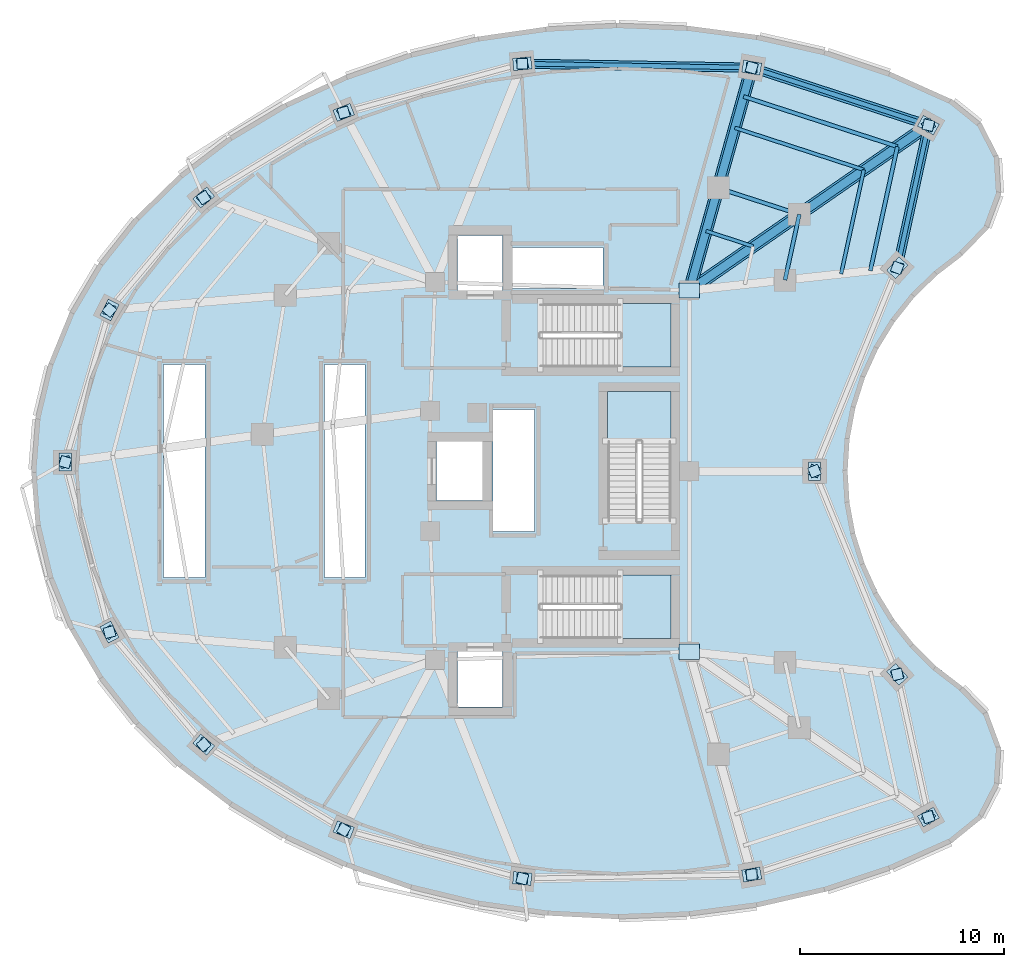
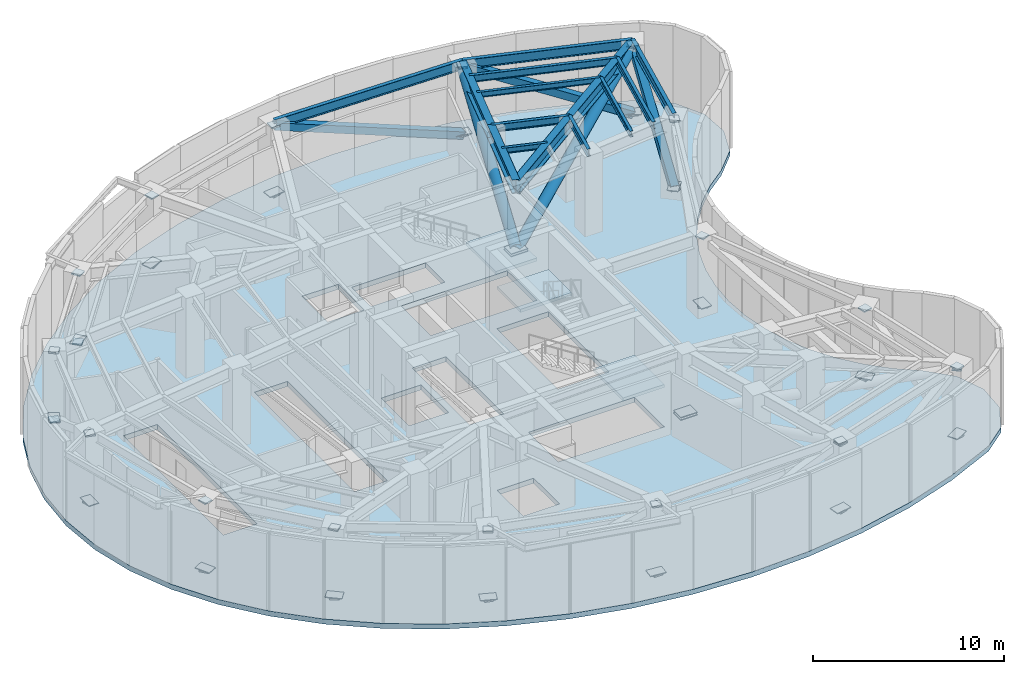
# One storey, part 3 of 10: 56 plates, 14 beams, 5 members, 4 slabs, 3 elements without a shape of their own.
"""IFC4 building model written with IfcOpenShell, lengths in metres."""

from ifc_helpers import new_model, si_unit, direction, frame, origin, origin_2d, place, context, subcontext, project, spatial, polyline, rectangle, hollow_rectangle, hollow_circle, i_section, outline, extrude, material, layer, layer_set, material_profile, profile_set, type_object, element, aggregate, save


model = new_model("IFC4")

# Units and contexts
model_context = context("Model", 3, precision=1e-05, world=origin(), true_north=direction((0.0, 1.0)))
body_context = subcontext(model_context, "Body", "Model", "MODEL_VIEW")
ifc_project = project(units=[si_unit("LENGTHUNIT", "METRE"), si_unit("AREAUNIT", "SQUARE_METRE"), si_unit("VOLUMEUNIT", "CUBIC_METRE"), si_unit("PLANEANGLEUNIT", "RADIAN"), si_unit("MASSUNIT", "GRAM", prefix="KILO")], contexts=[model_context])

# Site, building, storey
site_placement = place(None, origin())
site = spatial("IfcSite", under=ifc_project, at=site_placement, CompositionType="ELEMENT")
building_placement = place(site_placement, origin())
building = spatial("IfcBuilding", under=site, at=building_placement, Name="Korentha Bioscience Tower", CompositionType="ELEMENT")
storey_placement = place(building_placement, frame((0.0, 0.0, 84.60009765625)))
storey = spatial("IfcBuildingStorey", under=building, at=storey_placement, Name="L19", CompositionType="ELEMENT", Elevation=84.60009765625)

# Members
ifc_material_1 = material(Name="Steel S355", Category="steel")
ifc_material_profile_1 = material_profile(ifc_material_1, hollow_rectangle(XDim=0.449951171875, YDim=0.449951171875, WallThickness=0.02490234375, at=origin_2d()), Name="Steel S355")
ifc_profile_set_1 = profile_set([ifc_material_profile_1], Name="Steel S355 (BT-D450)")
member_type_1 = type_object("IfcMemberType", Name="Belt-Truss Web Diagonal SHS 450x450x25", PredefinedType="BRACE", material=ifc_profile_set_1)
member_1_placement = place(storey_placement, frame((49.2587890625, 43.947021484375, 0.349853515625), z_axis=(-0.856076773076, 0.278733902644, 0.435247021951), x_axis=(-0.309597327755, -0.950867758759, 0.0)))
element("IfcMember", 1, at=member_1_placement, inside=storey, type_object=member_type_1, Name="L19 Perimeter Belt-Truss Diagonal 01", PredefinedType="BRACE", context=body_context, shape_type="SweptSolid", body=[
    extrude(hollow_rectangle(XDim=0.449951171875, YDim=0.449951171875, WallThickness=0.02490234375, at=origin_2d()), origin(), (0.0, 0.0, 1.0), 10.109619140625),
])
member_2_placement = place(storey_placement, frame((40.604248046875, 46.764892578125, 0.349853515625), z_axis=(-0.931068988346, 0.01609789341, 0.364487855448), x_axis=(-0.017287105523, -0.999850566826, 0.0)))
element("IfcMember", 2, at=member_2_placement, inside=storey, type_object=member_type_1, Name="L19 Perimeter Belt-Truss Diagonal 02", PredefinedType="BRACE", context=body_context, shape_type="SweptSolid", body=[
    extrude(hollow_rectangle(XDim=0.449951171875, YDim=0.449951171875, WallThickness=0.02490234375, at=origin_2d()), origin(), (0.0, 0.0, 1.0), 12.072021484375),
])
member_3_placement = place(storey_placement, frame((47.736083984375, 36.959716796875, 0.349853515625), z_axis=(0.181348517584, 0.832162028739, 0.524041098671), x_axis=(-0.977068088275, 0.212927102256, 0.0)))
element("IfcMember", 3, at=member_3_placement, inside=storey, type_object=member_type_1, Name="L19 Perimeter Belt-Truss Diagonal 16", PredefinedType="BRACE", context=body_context, shape_type="SweptSolid", body=[
    extrude(hollow_rectangle(XDim=0.449951171875, YDim=0.449951171875, WallThickness=0.02490234375, at=origin_2d()), origin(), (0.0, 0.0, 1.0), 8.396484375),
])

# Beams
ifc_material_profile_2 = material_profile(ifc_material_1, i_section(OverallWidth=0.18994140625, OverallDepth=0.45703125, WebThickness=0.009033203125, FlangeThickness=0.014404296875, at=origin_2d()), Name="Steel S355")
ifc_profile_set_2 = profile_set([ifc_material_profile_2], Name="Steel S355 (MB-460)")
beam_type_1 = type_object("IfcBeamType", Name="Mid-Ring Tie Girder W460x74", PredefinedType="BEAM", material=ifc_profile_set_2)
beam_1_placement = place(storey_placement, frame((42.93603515625, 39.57470703125, 4.871337890625), z_axis=(-0.95087582253, 0.309572560361, 0.0), x_axis=(-0.309572560361, -0.95087582253, 0.0)))
element("IfcBeam", 4, at=beam_1_placement, inside=storey, type_object=beam_type_1, Name="L19 Mid-Ring Tie Girder 01", PredefinedType="BEAM", context=body_context, shape_type="SweptSolid", body=[
    extrude(i_section(OverallWidth=0.18994140625, OverallDepth=0.45703125, WebThickness=0.009033203125, FlangeThickness=0.014404296875, at=origin_2d()), origin(), (0.0, 0.0, 1.0), 4.186767578125),
])
beam_2_placement = place(storey_placement, frame((42.235595703125, 36.360595703125, 4.871337890625), z_axis=(0.212928773299, 0.977067724112, 0.0), x_axis=(-0.977067724112, 0.212928773299, 0.0)))
element("IfcBeam", 5, at=beam_2_placement, inside=storey, type_object=beam_type_1, Name="L19 Mid-Ring Tie Girder 16", PredefinedType="BEAM", context=body_context, shape_type="SweptSolid", body=[
    extrude(i_section(OverallWidth=0.18994140625, OverallDepth=0.45703125, WebThickness=0.009033203125, FlangeThickness=0.014404296875, at=origin_2d()), origin(), (0.0, 0.0, 1.0), 3.28955078125),
])

# Members
ifc_material_profile_3 = material_profile(ifc_material_1, hollow_circle(Radius=0.304931640625, WallThickness=0.030029296875, at=origin_2d()), Name="Steel S355")
ifc_profile_set_3 = profile_set([ifc_material_profile_3], Name="Steel S355 (OU-610)")
member_type_2 = type_object("IfcMemberType", Name="Outrigger Diagonal Brace CHS 610x30", PredefinedType="USERDEFINED", material=ifc_profile_set_3)
member_4_placement = place(storey_placement, frame((37.550048828125, 35.85009765625, 0.599853515625), z_axis=(0.791099190547, 0.547067383692, 0.273640911445), x_axis=(-0.568776487431, 0.822492132088, 0.0)))
element("IfcMember", 6, at=member_4_placement, inside=storey, type_object=member_type_2, Name="L19 Outrigger Truss Diagonal 01", ObjectType="OUTRIGGER", PredefinedType="USERDEFINED", context=body_context, shape_type="SweptSolid", body=[
    extrude(hollow_circle(Radius=0.304931640625, WallThickness=0.030029296875, at=origin_2d()), origin(), (0.0, 0.0, 1.0), 14.800537109375),
])
member_5_placement = place(storey_placement, frame((37.550048828125, 35.85009765625, 0.75), z_axis=(0.254808631539, 0.910609871322, 0.325364754613), x_axis=(-0.963008525631, 0.269470925261, 0.0)))
element("IfcMember", 7, at=member_5_placement, inside=storey, type_object=member_type_2, Name="L19 Outrigger Truss Diagonal 02", ObjectType="OUTRIGGER", PredefinedType="USERDEFINED", context=body_context, shape_type="SweptSolid", body=[
    extrude(hollow_circle(Radius=0.304931640625, WallThickness=0.030029296875, at=origin_2d()), origin(), (0.0, 0.0, 1.0), 11.986328125),
])

# Beams
ifc_material_profile_4 = material_profile(ifc_material_1, i_section(OverallWidth=0.22802734375, OverallDepth=0.60791015625, WebThickness=0.01123046875, FlangeThickness=0.017333984375, at=origin_2d()), Name="Steel S355")
ifc_profile_set_4 = profile_set([ifc_material_profile_4], Name="Steel S355 (SB-610)")
beam_type_2 = type_object("IfcBeamType", Name="Perimeter Ring Spandrel Girder W610x113", PredefinedType="SPANDREL", material=ifc_profile_set_4)
beam_3_placement = place(storey_placement, frame((49.2587890625, 43.947021484375, 4.7958984375), z_axis=(-0.950867758759, 0.309597327755, 0.0), x_axis=(-0.309597327755, -0.950867758759, 0.0)))
element("IfcBeam", 8, at=beam_3_placement, inside=storey, type_object=beam_type_2, Name="L19 Perimeter Spandrel Girder 01", PredefinedType="SPANDREL", context=body_context, shape_type="SweptSolid", body=[
    extrude(i_section(OverallWidth=0.22802734375, OverallDepth=0.60791015625, WebThickness=0.01123046875, FlangeThickness=0.017333984375, at=origin_2d()), origin(), (0.0, 0.0, 1.0), 9.101806640625),
])
beam_4_placement = place(storey_placement, frame((40.604248046875, 46.764892578125, 4.7958984375), z_axis=(-0.999850566826, 0.017287105523, 0.0), x_axis=(-0.017287105523, -0.999850566826, 0.0)))
element("IfcBeam", 9, at=beam_4_placement, inside=storey, type_object=beam_type_2, Name="L19 Perimeter Spandrel Girder 02", PredefinedType="SPANDREL", context=body_context, shape_type="SweptSolid", body=[
    extrude(i_section(OverallWidth=0.22802734375, OverallDepth=0.60791015625, WebThickness=0.01123046875, FlangeThickness=0.017333984375, at=origin_2d()), origin(), (0.0, 0.0, 1.0), 11.24169921875),
])
beam_5_placement = place(storey_placement, frame((47.736083984375, 36.959716796875, 4.7958984375), z_axis=(0.212927102256, 0.977068088275, 0.0), x_axis=(-0.977068088275, 0.212927102256, 0.0)))
element("IfcBeam", 10, at=beam_5_placement, inside=storey, type_object=beam_type_2, Name="L19 Perimeter Spandrel Girder 16", PredefinedType="SPANDREL", context=body_context, shape_type="SweptSolid", body=[
    extrude(i_section(OverallWidth=0.22802734375, OverallDepth=0.60791015625, WebThickness=0.01123046875, FlangeThickness=0.017333984375, at=origin_2d()), origin(), (0.0, 0.0, 1.0), 7.1513671875),
])
ifc_material_profile_5 = material_profile(ifc_material_1, i_section(OverallWidth=0.419921875, OverallDepth=0.85009765625, WebThickness=0.01806640625, FlangeThickness=0.031982421875, at=origin_2d()), Name="Steel S355")
ifc_profile_set_5 = profile_set([ifc_material_profile_5], Name="Steel S355 (MB-850)")
beam_type_3 = type_object("IfcBeamType", Name="Plant Heavy Girder CVS 850x315", PredefinedType="BEAM", material=ifc_profile_set_5)
beam_6_placement = place(storey_placement, frame((37.550048828125, 35.85009765625, 4.6748046875), z_axis=(0.822488699387, 0.568781451333, 0.0), x_axis=(-0.568781451333, 0.822488699387, 0.0)))
element("IfcBeam", 11, at=beam_6_placement, inside=storey, type_object=beam_type_3, Name="L19 Inner Radial Girder 01", PredefinedType="BEAM", context=body_context, shape_type="SweptSolid", body=[
    extrude(i_section(OverallWidth=0.419921875, OverallDepth=0.85009765625, WebThickness=0.01806640625, FlangeThickness=0.031982421875, at=origin_2d()), origin(), (0.0, 0.0, 1.0), 6.54833984375),
])
beam_7_placement = place(storey_placement, frame((42.93603515625, 39.57470703125, 4.6748046875), z_axis=(0.822495056204, 0.568772258922, 0.0), x_axis=(-0.568772258922, 0.822495056204, 0.0)))
element("IfcBeam", 12, at=beam_7_placement, inside=storey, type_object=beam_type_3, Name="L19 Outer Radial Girder 01", PredefinedType="BEAM", context=body_context, shape_type="SweptSolid", body=[
    extrude(i_section(OverallWidth=0.419921875, OverallDepth=0.85009765625, WebThickness=0.01806640625, FlangeThickness=0.031982421875, at=origin_2d()), origin(), (0.0, 0.0, 1.0), 7.687255859375),
])
beam_8_placement = place(storey_placement, frame((37.550048828125, 35.85009765625, 4.6748046875), z_axis=(0.269447542125, 0.96301506844, 0.0), x_axis=(-0.96301506844, 0.269447542125, 0.0)))
element("IfcBeam", 13, at=beam_8_placement, inside=storey, type_object=beam_type_3, Name="L19 Inner Radial Girder 02", PredefinedType="BEAM", context=body_context, shape_type="SweptSolid", body=[
    extrude(i_section(OverallWidth=0.419921875, OverallDepth=0.85009765625, WebThickness=0.01806640625, FlangeThickness=0.031982421875, at=origin_2d()), origin(), (0.0, 0.0, 1.0), 5.213623046875),
])
beam_9_placement = place(storey_placement, frame((38.954833984375, 40.870849609375, 4.6748046875), z_axis=(0.269490843458, 0.963002951861, 0.0), x_axis=(-0.963002951861, 0.269490843458, 0.0)))
element("IfcBeam", 14, at=beam_9_placement, inside=storey, type_object=beam_type_3, Name="L19 Outer Radial Girder 02", PredefinedType="BEAM", context=body_context, shape_type="SweptSolid", body=[
    extrude(i_section(OverallWidth=0.419921875, OverallDepth=0.85009765625, WebThickness=0.01806640625, FlangeThickness=0.031982421875, at=origin_2d()), origin(), (0.0, 0.0, 1.0), 6.120361328125),
])
ifc_material_profile_6 = material_profile(ifc_material_1, i_section(OverallWidth=0.18994140625, OverallDepth=0.45703125, WebThickness=0.009033203125, FlangeThickness=0.014404296875, at=origin_2d()), Name="Steel S355")
ifc_profile_set_6 = profile_set([ifc_material_profile_6], Name="Steel S355 (RB-460)")
beam_type_4 = type_object("IfcBeamType", Name="Radial Laboratory Beam W460x74", PredefinedType="BEAM", material=ifc_profile_set_6)
beam_10_placement = place(storey_placement, frame((47.7412109375, 42.8974609375, 4.871337890625), z_axis=(-0.950866789802, 0.3096003037, 0.0), x_axis=(-0.3096003037, -0.950866789802, 0.0)))
element("IfcBeam", 15, at=beam_10_placement, inside=storey, type_object=beam_type_4, Name="L19 Secondary Floor Beam JSTO-01", PredefinedType="BEAM", context=body_context, shape_type="SweptSolid", body=[
    extrude(i_section(OverallWidth=0.18994140625, OverallDepth=0.45703125, WebThickness=0.009033203125, FlangeThickness=0.014404296875, at=origin_2d()), origin(), (0.0, 0.0, 1.0), 7.921875),
])
beam_11_placement = place(storey_placement, frame((46.416015625, 36.81591796875, 4.871337890625), z_axis=(0.21290837934, 0.977072168269, 0.0), x_axis=(-0.977072168269, 0.21290837934, 0.0)))
element("IfcBeam", 16, at=beam_11_placement, inside=storey, type_object=beam_type_4, Name="L19 Secondary Floor Beam JSTO-16", PredefinedType="BEAM", context=body_context, shape_type="SweptSolid", body=[
    extrude(i_section(OverallWidth=0.18994140625, OverallDepth=0.45703125, WebThickness=0.009033203125, FlangeThickness=0.014404296875, at=origin_2d()), origin(), (0.0, 0.0, 1.0), 6.224365234375),
])
ifc_material_profile_7 = material_profile(ifc_material_1, i_section(OverallWidth=0.1708984375, OverallDepth=0.35498046875, WebThickness=0.007080078125, FlangeThickness=0.01171875, at=origin_2d()), Name="Steel S355")
ifc_profile_set_7 = profile_set([ifc_material_profile_7], Name="Steel S355 (JB-360)")
beam_type_5 = type_object("IfcBeamType", Name="Secondary Laboratory Joist W360x51", PredefinedType="JOIST", material=ifc_profile_set_7)
beam_12_placement = place(storey_placement, frame((46.097412109375, 41.7607421875, 4.92236328125), z_axis=(-0.950864890997, 0.309606135387, 0.0), x_axis=(-0.309606135387, -0.950864890997, 0.0)))
element("IfcBeam", 17, at=beam_12_placement, inside=storey, type_object=beam_type_5, Name="L19 Secondary Floor Beam JST-01", PredefinedType="JOIST", context=body_context, shape_type="SweptSolid", body=[
    extrude(i_section(OverallWidth=0.1708984375, OverallDepth=0.35498046875, WebThickness=0.007080078125, FlangeThickness=0.01171875, at=origin_2d()), origin(), (0.0, 0.0, 1.0), 6.644287109375),
])
beam_13_placement = place(storey_placement, frame((40.673828125, 38.01025390625, 4.92236328125), z_axis=(-0.950852158547, 0.30964523666, 0.0), x_axis=(-0.30964523666, -0.950852158547, 0.0)))
element("IfcBeam", 18, at=beam_13_placement, inside=storey, type_object=beam_type_5, Name="L19 Inner Bay Joist 01", PredefinedType="JOIST", context=body_context, shape_type="SweptSolid", body=[
    extrude(i_section(OverallWidth=0.1708984375, OverallDepth=0.35498046875, WebThickness=0.007080078125, FlangeThickness=0.01171875, at=origin_2d()), origin(), (0.0, 0.0, 1.0), 2.428466796875),
])
beam_14_placement = place(storey_placement, frame((44.98583984375, 36.66015625, 4.92236328125), z_axis=(0.212932493609, 0.977066913351, 0.0), x_axis=(-0.977066913351, 0.212932493609, 0.0)))
element("IfcBeam", 19, at=beam_14_placement, inside=storey, type_object=beam_type_5, Name="L19 Secondary Floor Beam JST-16", PredefinedType="JOIST", context=body_context, shape_type="SweptSolid", body=[
    extrude(i_section(OverallWidth=0.1708984375, OverallDepth=0.35498046875, WebThickness=0.007080078125, FlangeThickness=0.01171875, at=origin_2d()), origin(), (0.0, 0.0, 1.0), 5.22021484375),
])

# Plates
ifc_layer_1 = layer(ifc_material_1, 0.031982421875, Name="Steel S355")
ifc_layer_set_1 = layer_set([ifc_layer_1], Name="Steel S355 (KN-01)")
plate_type_1 = type_object("IfcPlateType", Name="Belt-Truss Kink Gusset Plate 900x600x32", PredefinedType="USERDEFINED", material=ifc_layer_set_1)
for number, where, z_axis, x_axis, name in (
    (20, (49.2587890625, 43.947021484375, 0.43408203125), (0.0, 0.0, 1.0), (-0.874535078577, 0.484962262797, 0.0), "L19 Belt-Truss Kink Node Gusset KN-01"),
    (21, (40.604248046875, 46.764892578125, 0.43408203125), (0.0, 0.0, 1.0), (-0.984868307662, 0.173304404339, 0.0), "L19 Belt-Truss Kink Node Gusset KN-02"),
    (22, (29.3642578125, 46.959228515625, 0.43408203125), (0.0, 0.0, 1.0), (0.995462868748, 0.095150811579, 0.0), "L19 Belt-Truss Kink Node Gusset KN-03"),
    (23, (20.614990234375, 44.5693359375, 0.43408203125), (0.0, 0.0, 1.0), (0.930225540858, 0.366988341962, 0.0), "L19 Belt-Truss Kink Node Gusset KN-04"),
    (24, (13.7578125, 40.400146484375, 0.43408203125), (0.0, 0.0, 1.0), (0.764246456939, 0.644924300253, 0.0), "L19 Belt-Truss Kink Node Gusset KN-05"),
    (25, (9.141845703125, 34.889404296875, 0.43408203125), (0.0, 0.0, 1.0), (0.453057191132, 0.891481453292, 0.0), "L19 Belt-Truss Kink Node Gusset KN-06"),
    (26, (6.97412109375, 27.4423828125, 0.43408203125), (0.0, 0.0, 1.0), (0.0, 1.0, 0.0), "L19 Belt-Truss Kink Node Gusset KN-07"),
    (27, (9.141845703125, 19.110595703125, 0.43408203125), (0.0, 0.0, 1.0), (-0.453057191132, 0.891481453292, 0.0), "L19 Belt-Truss Kink Node Gusset KN-08"),
    (28, (13.7578125, 13.599853515625, 0.43408203125), (0.0, 0.0, 1.0), (-0.764246456939, 0.644924300253, 0.0), "L19 Belt-Truss Kink Node Gusset KN-09"),
    (29, (20.614990234375, 9.4306640625, 0.43408203125), (0.0, 0.0, 1.0), (-0.930225540858, 0.366988341962, 0.0), "L19 Belt-Truss Kink Node Gusset KN-10"),
    (30, (29.3642578125, 7.040771484375, 0.43408203125), (0.0, 0.0, 1.0), (-0.995462868748, 0.095150811579, 0.0), "L19 Belt-Truss Kink Node Gusset KN-11"),
    (31, (40.604248046875, 7.235107421875, 0.43408203125), (0.0, 0.0, 1.0), (0.984868307662, 0.173304404339, 0.0), "L19 Belt-Truss Kink Node Gusset KN-12"),
    (32, (49.2587890625, 10.052978515625, 0.43408203125), (0.0, 0.0, 1.0), (0.874535078577, 0.484962262797, 0.0), "L19 Belt-Truss Kink Node Gusset KN-13"),
    (33, (47.736083984375, 17.040283203125, 0.43408203125), (0.0, 0.0, 1.0), (-0.669130606359, 0.743144825477, 0.0), "L19 Belt-Truss Kink Node Gusset KN-14"),
    (34, (43.680908203125, 27.0, 0.43408203125), (0.0, 0.0, 1.0), (0.0, 1.0, 0.0), "L19 Belt-Truss Kink Node Gusset KN-15"),
    (35, (47.736083984375, 36.959716796875, 0.43408203125), (0.0, 0.0, 1.0), (0.669130606359, 0.743144825477, 0.0), "L19 Belt-Truss Kink Node Gusset KN-16"),
):
    element("IfcPlate", number, at=place(storey_placement, frame(where, z_axis=z_axis, x_axis=x_axis)), inside=storey, type_object=plate_type_1, Name=name, ObjectType="GUSSET_PLATE", PredefinedType="USERDEFINED", context=body_context, shape_type="SweptSolid", body=[
        extrude(rectangle(XDim=0.89990234375, YDim=0.60009765625, at=origin_2d()), origin(), (0.0, 0.0, 1.0), 0.031982421875),
    ])
ifc_layer_2 = layer(ifc_material_1, 0.080078125, Name="Steel S355")
ifc_layer_set_2 = layer_set([ifc_layer_2], Name="Steel S355 (CP-01)")
plate_type_2 = type_object("IfcPlateType", Name="Hollow Section End Cap Plate 520x520x80", PredefinedType="USERDEFINED", material=ifc_layer_set_2)
for number, where, z_axis, x_axis, name in (
    (36, (49.2587890625, 43.947021484375, 0.309814453125), (0.0, 0.0, 1.0), (-0.950840549986, 0.309680881719, 0.0), "L19 Belt-Truss 01 End Cap 1"),
    (37, (40.604248046875, 46.764892578125, 4.7099609375), (0.0, 0.0, 1.0), (-0.950840549986, 0.309680881719, 0.0), "L19 Belt-Truss 01 End Cap 2"),
    (38, (40.604248046875, 46.764892578125, 0.309814453125), (0.0, 0.0, 1.0), (-0.999850725947, 0.017277899829, 0.0), "L19 Belt-Truss 02 End Cap 1"),
    (39, (29.3642578125, 46.959228515625, 4.7099609375), (0.0, 0.0, 1.0), (-0.999850725947, 0.017277899829, 0.0), "L19 Belt-Truss 02 End Cap 2"),
    (40, (29.3642578125, 46.959228515625, 0.309814453125), (0.0, 0.0, 1.0), (0.964649468762, 0.263536339841, 0.0), "L19 Belt-Truss 03 End Cap 1"),
    (41, (20.614990234375, 44.5693359375, 4.7099609375), (0.0, 0.0, 1.0), (0.964649468762, 0.263536339841, 0.0), "L19 Belt-Truss 03 End Cap 2"),
    (42, (20.614990234375, 44.5693359375, 0.309814453125), (0.0, 0.0, 1.0), (0.854458830133, 0.51951911188, 0.0), "L19 Belt-Truss 04 End Cap 1"),
    (43, (13.7578125, 40.400146484375, 4.7099609375), (0.0, 0.0, 1.0), (0.854458830133, 0.51951911188, 0.0), "L19 Belt-Truss 04 End Cap 2"),
    (44, (13.7578125, 40.400146484375, 0.309814453125), (0.0, 0.0, 1.0), (0.642118865129, 0.766605089369, 0.0), "L19 Belt-Truss 05 End Cap 1"),
    (45, (9.141845703125, 34.889404296875, 4.7099609375), (0.0, 0.0, 1.0), (0.642118865129, 0.766605089369, 0.0), "L19 Belt-Truss 05 End Cap 2"),
    (46, (9.141845703125, 34.889404296875, 0.309814453125), (0.0, 0.0, 1.0), (0.279493876371, 0.960147474647, 0.0), "L19 Belt-Truss 06 End Cap 1"),
    (47, (6.97412109375, 27.4423828125, 4.7099609375), (0.0, 0.0, 1.0), (0.279493876371, 0.960147474647, 0.0), "L19 Belt-Truss 06 End Cap 2"),
    (48, (6.97412109375, 27.4423828125, 0.309814453125), (0.0, 0.0, 1.0), (-0.251731548668, 0.967797100329, 0.0), "L19 Belt-Truss 07 End Cap 1"),
    (49, (9.141845703125, 19.110595703125, 4.7099609375), (0.0, 0.0, 1.0), (-0.251731548668, 0.967797100329, 0.0), "L19 Belt-Truss 07 End Cap 2"),
    (50, (9.141845703125, 19.110595703125, 0.309814453125), (0.0, 0.0, 1.0), (-0.642118865129, 0.766605089369, 0.0), "L19 Belt-Truss 08 End Cap 1"),
    (51, (13.7578125, 13.599853515625, 4.7099609375), (0.0, 0.0, 1.0), (-0.642118865129, 0.766605089369, 0.0), "L19 Belt-Truss 08 End Cap 2"),
    (52, (13.7578125, 13.599853515625, 0.309814453125), (0.0, 0.0, 1.0), (-0.854458830133, 0.51951911188, 0.0), "L19 Belt-Truss 09 End Cap 1"),
    (53, (20.614990234375, 9.4306640625, 4.7099609375), (0.0, 0.0, 1.0), (-0.854458830133, 0.51951911188, 0.0), "L19 Belt-Truss 09 End Cap 2"),
    (54, (20.614990234375, 9.4306640625, 0.309814453125), (0.0, 0.0, 1.0), (-0.964649468762, 0.263536339841, 0.0), "L19 Belt-Truss 10 End Cap 1"),
    (55, (29.3642578125, 7.040771484375, 4.7099609375), (0.0, 0.0, 1.0), (-0.964649468762, 0.263536339841, 0.0), "L19 Belt-Truss 10 End Cap 2"),
    (56, (29.3642578125, 7.040771484375, 0.309814453125), (0.0, 0.0, 1.0), (0.999850725947, 0.017277899829, 0.0), "L19 Belt-Truss 11 End Cap 1"),
    (57, (40.604248046875, 7.235107421875, 4.7099609375), (0.0, 0.0, 1.0), (0.999850725947, 0.017277899829, 0.0), "L19 Belt-Truss 11 End Cap 2"),
    (58, (40.604248046875, 7.235107421875, 0.309814453125), (0.0, 0.0, 1.0), (0.950840549986, 0.309680881719, 0.0), "L19 Belt-Truss 12 End Cap 1"),
    (59, (49.2587890625, 10.052978515625, 4.7099609375), (0.0, 0.0, 1.0), (0.950840549986, 0.309680881719, 0.0), "L19 Belt-Truss 12 End Cap 2"),
    (60, (49.2587890625, 10.052978515625, 0.309814453125), (0.0, 0.0, 1.0), (-0.212859856409, 0.97708274037, 0.0), "L19 Belt-Truss 13 End Cap 1"),
    (61, (47.736083984375, 17.040283203125, 4.7099609375), (0.0, 0.0, 1.0), (-0.212859856409, 0.97708274037, 0.0), "L19 Belt-Truss 13 End Cap 2"),
    (62, (47.736083984375, 17.040283203125, 0.309814453125), (0.0, 0.0, 1.0), (-0.377032668542, 0.926199960512, 0.0), "L19 Belt-Truss 14 End Cap 1"),
    (63, (43.680908203125, 27.0, 4.7099609375), (0.0, 0.0, 1.0), (-0.377032668542, 0.926199960512, 0.0), "L19 Belt-Truss 14 End Cap 2"),
    (64, (43.680908203125, 27.0, 0.309814453125), (0.0, 0.0, 1.0), (0.377032668542, 0.926199960512, 0.0), "L19 Belt-Truss 15 End Cap 1"),
    (65, (47.736083984375, 36.959716796875, 4.7099609375), (0.0, 0.0, 1.0), (0.377032668542, 0.926199960512, 0.0), "L19 Belt-Truss 15 End Cap 2"),
    (66, (47.736083984375, 36.959716796875, 0.309814453125), (0.0, 0.0, 1.0), (0.212859856409, 0.97708274037, 0.0), "L19 Belt-Truss 16 End Cap 1"),
    (67, (49.2587890625, 43.947021484375, 4.7099609375), (0.0, 0.0, 1.0), (0.212859856409, 0.97708274037, 0.0), "L19 Belt-Truss 16 End Cap 2"),
    (68, (49.2587890625, 43.947021484375, 4.60986328125), (0.0, 0.0, 1.0), (0.822541272729, 0.56870541993, 0.0), "L19 Outrigger 01 End Cap 2"),
    (69, (40.604248046875, 46.764892578125, 4.60986328125), (0.0, 0.0, 1.0), (0.26942409447, 0.963021628687, 0.0), "L19 Outrigger 02 End Cap 2"),
    (70, (40.604248046875, 7.235107421875, 4.60986328125), (0.0, 0.0, 1.0), (-0.26942409447, 0.963021628687, 0.0), "L19 Outrigger 03 End Cap 2"),
    (71, (49.2587890625, 10.052978515625, 4.60986328125), (0.0, 0.0, 1.0), (-0.822541272729, 0.56870541993, 0.0), "L19 Outrigger 04 End Cap 2"),
):
    element("IfcPlate", number, at=place(storey_placement, frame(where, z_axis=z_axis, x_axis=x_axis)), inside=storey, type_object=plate_type_2, Name=name, ObjectType="CAP_PLATE", PredefinedType="USERDEFINED", context=body_context, shape_type="SweptSolid", body=[
        extrude(rectangle(XDim=0.52001953125, YDim=0.52001953125, at=origin_2d()), origin(), (0.0, 0.0, 1.0), 0.080078125),
    ])

# Stair, slab
ifc_material_2 = material(Name="Precast Concrete C50", Category="concrete")
stair_type = type_object("IfcStairType", Name="Core Exit Dog-Leg Stair 1450", PredefinedType="HALF_TURN_STAIR", material=ifc_material_2)
stair_1_placement = place(storey_placement, origin())
stair_1 = element("IfcStair", 72, at=stair_1_placement, inside=storey, type_object=stair_type, Name="L19 Tower North Pressurized Exit Stair ST-1", PredefinedType="HALF_TURN_STAIR")
ifc_material_3 = material(Name="Concrete C50", Category="concrete")
ifc_layer_3 = layer(ifc_material_3, 0.199951171875, Name="Concrete C50")
ifc_layer_set_3 = layer_set([ifc_layer_3], Name="Concrete C50 (SL-LND)")
slab_type_1 = type_object("IfcSlabType", Name="Landing Slab 200", PredefinedType="LANDING", material=ifc_layer_set_3)
slab_1_placement = place(storey_placement, frame((0.0, 0.0, 2.5)))
slab_1 = element("IfcSlab", 73, at=slab_1_placement, type_object=slab_type_1, Name="ST-1 landing 1", PredefinedType="LANDING", context=body_context, shape_type="SweptSolid", body=[
    extrude(outline(polyline([(34.169921875, 32.10009765625), (36.64990234375, 32.10009765625), (36.64990234375, 35.199951171875), (34.169921875, 35.199951171875), (34.169921875, 32.10009765625)])), origin(), (0.0, 0.0, 1.0), 0.199951171875),
])
aggregate(stair_1, [slab_1])

stair_2_placement = place(storey_placement, origin())
stair_2 = element("IfcStair", 74, at=stair_2_placement, inside=storey, type_object=stair_type, Name="L19 Tower South Pressurized Exit Stair ST-2", PredefinedType="HALF_TURN_STAIR")
slab_2_placement = place(storey_placement, frame((0.0, 0.0, 2.5)))
slab_2 = element("IfcSlab", 75, at=slab_2_placement, type_object=slab_type_1, Name="ST-2 landing 1", PredefinedType="LANDING", context=body_context, shape_type="SweptSolid", body=[
    extrude(outline(polyline([(34.169921875, 18.800048828125), (36.64990234375, 18.800048828125), (36.64990234375, 21.89990234375), (34.169921875, 21.89990234375), (34.169921875, 18.800048828125)])), origin(), (0.0, 0.0, 1.0), 0.199951171875),
])
aggregate(stair_2, [slab_2])

stair_3_placement = place(storey_placement, origin())
stair_3 = element("IfcStair", 76, at=stair_3_placement, inside=storey, type_object=stair_type, Name="L19 Tower Central Pressurized Exit Stair ST-3", PredefinedType="HALF_TURN_STAIR")
slab_3_placement = place(storey_placement, frame((0.0, 0.0, 2.5)))
slab_3 = element("IfcSlab", 77, at=slab_3_placement, type_object=slab_type_1, Name="ST-3 landing 1", PredefinedType="LANDING", context=body_context, shape_type="SweptSolid", body=[
    extrude(outline(polyline([(36.64990234375, 28.469970703125), (36.64990234375, 30.89990234375), (33.550048828125, 30.89990234375), (33.550048828125, 28.469970703125), (36.64990234375, 28.469970703125)])), origin(), (0.0, 0.0, 1.0), 0.199951171875),
])
aggregate(stair_3, [slab_3])

# Slab
ifc_layer_4 = layer(ifc_material_3, 0.320068359375, Name="Concrete C50")
ifc_layer_set_4 = layer_set([ifc_layer_4], Name="Concrete C50 (SL-M320)")
slab_type_2 = type_object("IfcSlabType", Name="Mechanical Plant Heavy Slab 320", PredefinedType="FLOOR", material=ifc_layer_set_4)
slab_4_placement = place(storey_placement, frame((0.0, 0.0, -0.320068359375)))
element("IfcSlab", 78, at=slab_4_placement, inside=storey, type_object=slab_type_2, Name="L19 Tower Structural Floor Slab", PredefinedType="FLOOR", context=body_context, shape_type="SweptSolid", body=[
    extrude(outline(polyline([(50.433837890625, 45.19580078125), (47.439697265625, 46.53662109375), (44.2548828125, 47.59521484375), (40.925537109375, 48.3564453125), (37.5, 48.809326171875), (34.027587890625, 48.947265625), (30.558349609375, 48.7685546875), (27.142333984375, 48.275390625), (23.8291015625, 47.474853515625), (20.66650390625, 46.37890625), (17.69970703125, 45.003173828125), (14.972412109375, 43.367431640625), (12.52294921875, 41.495361328125), (10.3876953125, 39.413818359375), (8.5966796875, 37.1533203125), (7.17626953125, 34.74609375), (6.146484375, 32.22705078125), (5.52294921875, 29.632568359375), (5.31396484375, 27.0), (5.52294921875, 24.367431640625), (6.146484375, 21.77294921875), (7.17626953125, 19.25390625), (8.5966796875, 16.8466796875), (10.3876953125, 14.586181640625), (12.52294921875, 12.504638671875), (14.972412109375, 10.632568359375), (17.69970703125, 8.996826171875), (20.66650390625, 7.62109375), (23.8291015625, 6.525146484375), (27.142333984375, 5.724609375), (30.558349609375, 5.2314453125), (34.027587890625, 5.052734375), (37.5, 5.190673828125), (40.925537109375, 5.6435546875), (44.2548828125, 6.40478515625), (47.439697265625, 7.46337890625), (50.433837890625, 8.80419921875), (51.8623046875, 9.960205078125), (52.703125, 11.593994140625), (52.813720703125, 13.42822265625), (52.175537109375, 15.1513671875), (50.896484375, 16.470703125), (49.666259765625, 17.414794921875), (48.560302734375, 18.501708984375), (47.594970703125, 19.715087890625), (46.78466796875, 21.037353515625), (46.1416015625, 22.448486328125), (45.67529296875, 23.927490234375), (45.392578125, 25.4521484375), (45.298095703125, 27.0), (45.392578125, 28.5478515625), (45.67529296875, 30.072509765625), (46.1416015625, 31.551513671875), (46.78466796875, 32.962646484375), (47.594970703125, 34.284912109375), (48.560302734375, 35.498291015625), (49.666259765625, 36.585205078125), (50.896484375, 37.529296875), (52.175537109375, 38.8486328125), (52.813720703125, 40.57177734375), (52.703125, 42.406005859375), (51.8623046875, 44.039794921875), (50.433837890625, 45.19580078125)]), holes=[polyline([(30.25, 32.10009765625), (36.64990234375, 32.10009765625), (36.64990234375, 35.199951171875), (30.25, 35.199951171875), (30.25, 32.10009765625)]), polyline([(30.25, 18.800048828125), (36.64990234375, 18.800048828125), (36.64990234375, 21.89990234375), (30.25, 21.89990234375), (30.25, 18.800048828125)]), polyline([(36.64990234375, 24.550048828125), (36.64990234375, 30.89990234375), (33.550048828125, 30.89990234375), (33.550048828125, 24.550048828125), (36.64990234375, 24.550048828125)]), polyline([(11.780029296875, 21.780029296875), (13.820068359375, 21.780029296875), (13.820068359375, 32.219970703125), (11.780029296875, 32.219970703125), (11.780029296875, 21.780029296875)]), polyline([(19.679931640625, 21.780029296875), (21.669921875, 21.780029296875), (21.669921875, 32.219970703125), (19.679931640625, 32.219970703125), (19.679931640625, 21.780029296875)]), polyline([(27.929931640625, 24.030029296875), (29.969970703125, 24.030029296875), (29.969970703125, 30.02001953125), (27.929931640625, 30.02001953125), (27.929931640625, 24.030029296875)]), polyline([(28.860107421875, 35.93994140625), (33.31005859375, 35.93994140625), (33.31005859375, 37.9599609375), (28.860107421875, 37.9599609375), (28.860107421875, 35.93994140625)]), polyline([(26.199951171875, 15.449951171875), (28.39990234375, 15.449951171875), (28.39990234375, 18.14990234375), (26.199951171875, 18.14990234375), (26.199951171875, 15.449951171875)]), polyline([(26.199951171875, 35.85009765625), (28.39990234375, 35.85009765625), (28.39990234375, 38.550048828125), (26.199951171875, 38.550048828125), (26.199951171875, 35.85009765625)]), polyline([(25.14990234375, 25.550048828125), (27.550048828125, 25.550048828125), (27.550048828125, 28.449951171875), (25.14990234375, 28.449951171875), (25.14990234375, 25.550048828125)])]), origin(), (0.0, 0.0, 1.0), 0.320068359375),
])

# Plates
ifc_layer_5 = layer(ifc_material_1, 0.035888671875, Name="Steel S355")
ifc_layer_set_5 = layer_set([ifc_layer_5], Name="Steel S355 (KN-02)")
plate_type_3 = type_object("IfcPlateType", Name="Outrigger Core Node Gusset Plate 1000x750x36", PredefinedType="USERDEFINED", material=ifc_layer_set_5)
for number, where, z_axis, x_axis, name in (
    (79, (37.550048828125, 35.85009765625, 0.58203125), (0.0, 0.0, 1.0), (1.0, 0.0, 0.0), "L19 Outrigger Core Gusset KN-01"),
    (80, (37.550048828125, 35.85009765625, 0.73193359375), (0.0, 0.0, 1.0), (1.0, 0.0, 0.0), "L19 Outrigger Core Gusset KN-02"),
    (81, (37.550048828125, 18.14990234375, 0.8818359375), (0.0, 0.0, 1.0), (1.0, 0.0, 0.0), "L19 Outrigger Core Gusset KN-03"),
    (82, (37.550048828125, 18.14990234375, 1.03173828125), (0.0, 0.0, 1.0), (1.0, 0.0, 0.0), "L19 Outrigger Core Gusset KN-04"),
):
    element("IfcPlate", number, at=place(storey_placement, frame(where, z_axis=z_axis, x_axis=x_axis)), inside=storey, type_object=plate_type_3, Name=name, ObjectType="GUSSET_PLATE", PredefinedType="USERDEFINED", context=body_context, shape_type="SweptSolid", body=[
        extrude(rectangle(XDim=1.0, YDim=0.75, at=origin_2d()), origin(), (0.0, 0.0, 1.0), 0.035888671875),
    ])

save(model, "model.ifc")
